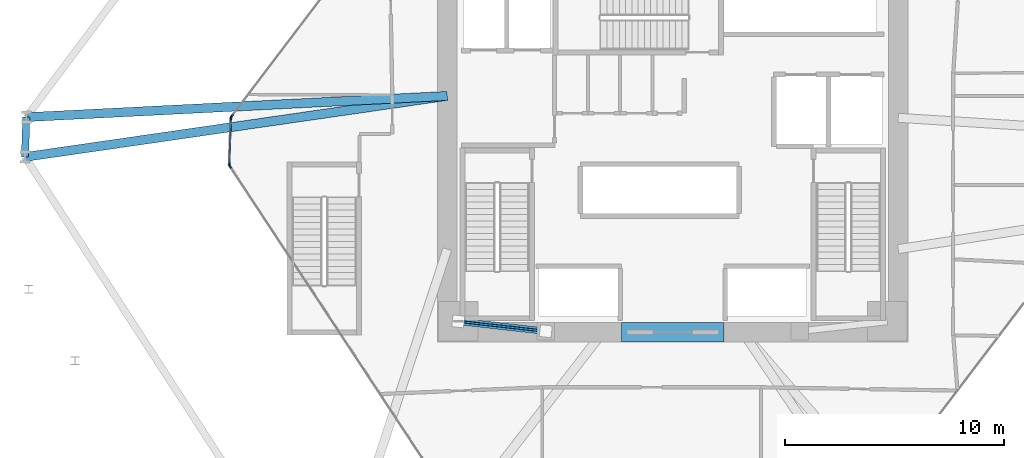
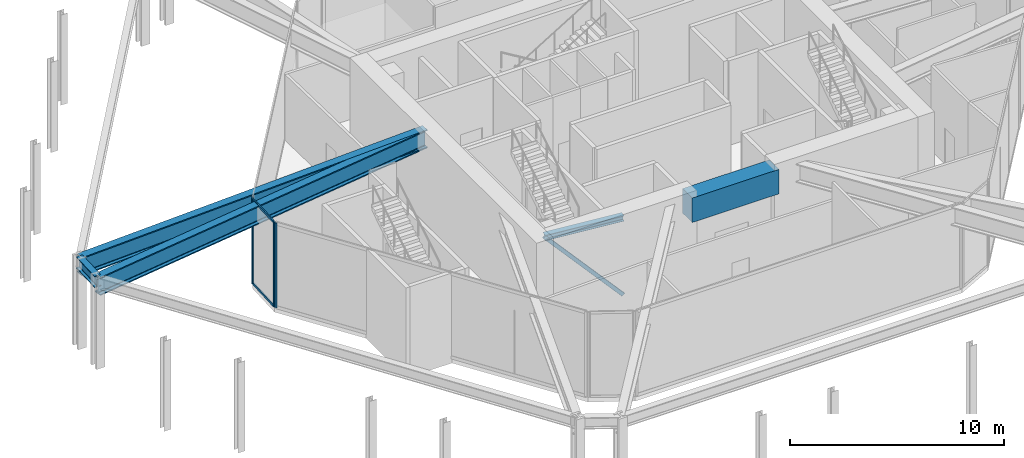
# One storey, part 7 of 16: 7 members, 5 beams, 3 elements without a shape of their own.
"""IFC4 building model written with IfcOpenShell, lengths in metres."""

from ifc_helpers import new_model, si_unit, direction, frame, origin, origin_2d, place, context, subcontext, project, spatial, rectangle, hollow_rectangle, i_section, extrude, source, transform, mapped, material, layer, layer_set, material_profile, profile_set, type_object, type_shapes, element, aggregate, save


model = new_model("IFC4")

# Units and contexts
model_context = context("Model", 3, precision=1e-05, world=origin(), true_north=direction((0.0, 1.0)))
body_context = subcontext(model_context, "Body", "Model", "MODEL_VIEW")
ifc_project = project(units=[si_unit("LENGTHUNIT", "METRE"), si_unit("AREAUNIT", "SQUARE_METRE"), si_unit("VOLUMEUNIT", "CUBIC_METRE"), si_unit("PLANEANGLEUNIT", "RADIAN"), si_unit("MASSUNIT", "GRAM", prefix="KILO")], contexts=[model_context])

# Site, building, storey
site_placement = place(None, origin())
site = spatial("IfcSite", under=ifc_project, at=site_placement, CompositionType="ELEMENT")
building_placement = place(site_placement, origin())
building = spatial("IfcBuilding", under=site, at=building_placement, Name="Durnholm Broadcast Tower", CompositionType="ELEMENT")
storey_placement = place(building_placement, frame((0.0, 0.0, 5.199951171875)))
storey = spatial("IfcBuildingStorey", under=building, at=storey_placement, Name="L01", CompositionType="ELEMENT", Elevation=5.199951171875)

# Beams
ifc_material_1 = material(Name="Concrete C70/85", Category="concrete")
ifc_material_profile_1 = material_profile(ifc_material_1, rectangle(XDim=0.89990234375, YDim=1.39990234375, at=origin_2d()), Name="RC900X1400")
ifc_profile_set_1 = profile_set([ifc_material_profile_1], Name="Concrete C70/85")
beam_type_1 = type_object("IfcBeamType", Name="BM-CB-RC1400", PredefinedType="LINTEL", material=ifc_profile_set_1)
shared_shape_1 = source(origin(), body_context, "Body", "SweptSolid", [
    extrude(rectangle(XDim=0.89990234375, YDim=1.39990234375, at=origin_2d()), origin(), (0.0, 0.0, 1.0), 4.7001953125),
])
type_shapes(beam_type_1, [shared_shape_1])
beam_1_placement = place(storey_placement, frame((-2.35009765625, -8.300048828125, 4.14501953125), z_axis=(1.0, 0.0, 0.0), x_axis=(0.0, 1.0, 0.0)))
element("IfcBeam", 1, at=beam_1_placement, inside=storey, type_object=beam_type_1, Name="L01 south core coupling lintel beam CB-S", PredefinedType="LINTEL", context=body_context, shape_type="MappedRepresentation", body=[
    mapped(shared_shape_1, transform((0.0, 0.0, 0.0), x_axis=(1.0, 0.0, 0.0), y_axis=(0.0, 1.0, 0.0), z_axis=(0.0, 0.0, 1.0), scale=1.0)),
])
ifc_material_2 = material(Name="Steel ASTM A992 Grade 50", Category="steel")
ifc_material_profile_2 = material_profile(ifc_material_2, i_section(OverallWidth=0.3330078125, OverallDepth=0.660888671875, WebThickness=0.0244140625, FlangeThickness=0.0439453125, FilletRadius=0.02783203125, at=origin_2d()), Name="W24X229")
ifc_profile_set_2 = profile_set([ifc_material_profile_2], Name="Steel ASTM A992 Grade 50")
beam_type_2 = type_object("IfcBeamType", Name="STL-SP-W24X229", PredefinedType="SPANDREL", material=ifc_profile_set_2)
shared_shape_2 = source(origin(), body_context, "Body", "SweptSolid", [
    extrude(i_section(OverallWidth=0.3330078125, OverallDepth=0.660888671875, WebThickness=0.0244140625, FlangeThickness=0.0439453125, FilletRadius=0.02783203125, at=origin_2d()), origin(), (0.0, 0.0, 1.0), 1.820068359375),
])
type_shapes(beam_type_2, [shared_shape_2])
beam_2_placement = place(storey_placement, frame((-29.590576171875, -0.28857421875, 4.504638671875), z_axis=(0.033667655889, 0.999433083776, 0.0), x_axis=(-0.999433083776, 0.033667655889, 0.0)))
element("IfcBeam", 2, at=beam_2_placement, inside=storey, type_object=beam_type_2, Name="L01 perimeter spandrel girder 02", PredefinedType="SPANDREL", context=body_context, shape_type="MappedRepresentation", body=[
    mapped(shared_shape_2, transform((0.0, 0.0, 0.0), x_axis=(1.0, 0.0, 0.0), y_axis=(0.0, 1.0, 0.0), z_axis=(0.0, 0.0, 1.0), scale=1.0)),
])
ifc_material_profile_3 = material_profile(ifc_material_2, i_section(OverallWidth=0.3046875, OverallDepth=0.307861328125, WebThickness=0.010009765625, FlangeThickness=0.015380859375, FilletRadius=0.019287109375, at=origin_2d()), Name="W12X65")
ifc_profile_set_3 = profile_set([ifc_material_profile_3], Name="Steel ASTM A992 Grade 50")
beam_type_3 = type_object("IfcBeamType", Name="STL-BL-W12X65", PredefinedType="LINTEL", material=ifc_profile_set_3)
shared_shape_3 = source(origin(), body_context, "Body", "SweptSolid", [
    extrude(i_section(OverallWidth=0.3046875, OverallDepth=0.307861328125, WebThickness=0.010009765625, FlangeThickness=0.015380859375, FilletRadius=0.019287109375, at=origin_2d()), origin(), (0.0, 0.0, 1.0), 4.025146484375),
])
type_shapes(beam_type_3, [shared_shape_3])
beam_3_placement = place(storey_placement, frame((-5.800048828125, -8.25, 4.68115234375), z_axis=(-0.993732663715, 0.111782794142, 0.0), x_axis=(-0.111782794142, -0.993732663715, 0.0)))
element("IfcBeam", 3, at=beam_3_placement, inside=storey, type_object=beam_type_3, Name="L01 west pilaster tie lintel", PredefinedType="LINTEL", context=body_context, shape_type="MappedRepresentation", body=[
    mapped(shared_shape_3, transform((0.0, 0.0, 0.0), x_axis=(1.0, 0.0, 0.0), y_axis=(0.0, 1.0, 0.0), z_axis=(0.0, 0.0, 1.0), scale=1.0)),
])
ifc_material_profile_4 = material_profile(ifc_material_2, i_section(OverallWidth=0.412109375, OverallDepth=1.048095703125, WebThickness=0.033935546875, FlangeThickness=0.059814453125, FilletRadius=0.04052734375, at=origin_2d()), Name="W40X431")
ifc_profile_set_4 = profile_set([ifc_material_profile_4], Name="Steel ASTM A992 Grade 50")
beam_type_4 = type_object("IfcBeamType", Name="STL-TG-W40X431", PredefinedType="USERDEFINED", material=ifc_profile_set_4)
shared_shape_4 = source(origin(), body_context, "Body", "SweptSolid", [
    extrude(i_section(OverallWidth=0.412109375, OverallDepth=1.048095703125, WebThickness=0.033935546875, FlangeThickness=0.059814453125, FilletRadius=0.04052734375, at=origin_2d()), origin(), (0.0, 0.0, 1.0), 19.490966796875),
])
beam_4_placement = place(storey_placement, frame((-10.300048828125, 2.5, 4.31103515625), z_axis=(-0.989712636446, -0.143069553921, 0.0), x_axis=(0.143069553921, -0.989712636446, 0.0)))
element("IfcBeam", 4, at=beam_4_placement, inside=storey, type_object=beam_type_4, Name="L01 radial primary floor girder 02", ObjectType="GIRDER", PredefinedType="USERDEFINED", context=body_context, shape_type="MappedRepresentation", body=[
    mapped(shared_shape_4, transform((0.0, 0.0, 0.0), x_axis=(1.0, 0.0, 0.0), y_axis=(0.0, 1.0, 0.0), z_axis=(0.0, 0.0, 1.0), scale=1.0)),
])
shared_shape_5 = source(origin(), body_context, "Body", "SweptSolid", [
    extrude(i_section(OverallWidth=0.412109375, OverallDepth=1.048095703125, WebThickness=0.033935546875, FlangeThickness=0.059814453125, FilletRadius=0.04052734375, at=origin_2d()), origin(), (0.0, 0.0, 1.0), 19.253662109375),
])
type_shapes(beam_type_4, [shared_shape_4, shared_shape_5])
beam_5_placement = place(storey_placement, frame((-10.300048828125, 2.5, 4.31103515625), z_axis=(-0.998731477139, -0.050353118796, 0.0), x_axis=(0.050353118796, -0.998731477139, 0.0)))
element("IfcBeam", 5, at=beam_5_placement, inside=storey, type_object=beam_type_4, Name="L01 radial primary floor girder 03", ObjectType="GIRDER", PredefinedType="USERDEFINED", context=body_context, shape_type="MappedRepresentation", body=[
    mapped(shared_shape_5, transform((0.0, 0.0, 0.0), x_axis=(1.0, 0.0, 0.0), y_axis=(0.0, 1.0, 0.0), z_axis=(0.0, 0.0, 1.0), scale=1.0)),
])

# Member
ifc_material_3 = material(Name="Steel ASTM A500 Grade C", Category="steel")
ifc_material_profile_5 = material_profile(ifc_material_3, hollow_rectangle(XDim=0.1015625, YDim=0.203125, WallThickness=0.00732421875, InnerFilletRadius=0.010986328125, OuterFilletRadius=0.0185546875, at=origin_2d()), Name="HSS8X4X5/16")
ifc_profile_set_5 = profile_set([ifc_material_profile_5], Name="Steel ASTM A500 Grade C")
member_type_1 = type_object("IfcMemberType", Name="STL-STG-HSS8X4", PredefinedType="STRINGER", material=ifc_profile_set_5)
shared_shape_6 = source(origin(), body_context, "Body", "SweptSolid", [
    extrude(hollow_rectangle(XDim=0.1015625, YDim=0.203125, WallThickness=0.00732421875, InnerFilletRadius=0.010986328125, OuterFilletRadius=0.0185546875, at=origin_2d()), origin(), (0.0, 0.0, 1.0), 5.986328125),
])
type_shapes(member_type_1, [shared_shape_6])
member_1_placement = place(storey_placement, frame((-5.800048828125, -8.25, 0.25), z_axis=(-0.668175783334, 0.075161619182, 0.740197172089), x_axis=(-0.111782794142, -0.993732663715, 0.0)))
element("IfcMember", 6, at=member_1_placement, inside=storey, type_object=member_type_1, Name="L01 core gallery steel stringer brace", PredefinedType="STRINGER", context=body_context, shape_type="MappedRepresentation", body=[
    mapped(shared_shape_6, transform((0.0, 0.0, 0.0), x_axis=(1.0, 0.0, 0.0), y_axis=(0.0, 1.0, 0.0), z_axis=(0.0, 0.0, 1.0), scale=1.0)),
])

# Curtain wall, members
ifc_material_4 = material(Name="Aluminium and Solar Control IGU", Category="aluminium")
ifc_layer_1 = layer(ifc_material_4, 0.1650390625)
ifc_layer_set_1 = layer_set([ifc_layer_1], Name="Aluminium and Solar Control IGU")
curtain_wall_type_1 = type_object("IfcCurtainWallType", Name="CW-SYS-5", PredefinedType="NOTDEFINED", material=ifc_layer_set_1)
curtain_wall_1_placement = place(storey_placement, origin())
curtain_wall_1 = element("IfcCurtainWall", 7, at=curtain_wall_1_placement, inside=storey, type_object=curtain_wall_type_1, Name="L01 curtain wall CW-CORNER CW-L01-CRN-01", PredefinedType="NOTDEFINED")
ifc_material_5 = material(Name="Aluminium 6063-T6", Category="aluminium")
ifc_material_profile_6 = material_profile(ifc_material_5, rectangle(XDim=0.06494140625, YDim=0.1298828125, at=origin_2d()), Name="CWT65X130")
ifc_profile_set_6 = profile_set([ifc_material_profile_6], Name="Aluminium 6063-T6")
member_type_2 = type_object("IfcMemberType", Name="CW-SYS-5-TRN", PredefinedType="USERDEFINED", material=ifc_profile_set_6)
shared_shape_7 = source(origin(), body_context, "Body", "SweptSolid", [
    extrude(rectangle(XDim=0.06494140625, YDim=0.1298828125, at=origin_2d()), origin(), (0.0, 0.0, 1.0), 2.070068359375),
])
type_shapes(member_type_2, [shared_shape_7])
member_2_placement = place(storey_placement, frame((-20.254638671875, -0.60791015625, 0.032470703125), z_axis=(0.033377662898, 0.99944281058, 0.0), x_axis=(-0.99944281058, 0.033377662898, 0.0)))
member_2 = element("IfcMember", 8, at=member_2_placement, type_object=member_type_2, Name="CW-CORNER transom 1.1", ObjectType="TRANSOM", PredefinedType="USERDEFINED", context=body_context, shape_type="MappedRepresentation", body=[
    mapped(shared_shape_7, transform((0.0, 0.0, 0.0), x_axis=(1.0, 0.0, 0.0), y_axis=(0.0, 1.0, 0.0), z_axis=(0.0, 0.0, 1.0), scale=1.0)),
])
member_3_placement = place(storey_placement, frame((-20.254638671875, -0.60791015625, 4.817626953125), z_axis=(0.033377662898, 0.99944281058, 0.0), x_axis=(-0.99944281058, 0.033377662898, 0.0)))
member_3 = element("IfcMember", 9, at=member_3_placement, type_object=member_type_2, Name="CW-CORNER transom 1.2", ObjectType="TRANSOM", PredefinedType="USERDEFINED", context=body_context, shape_type="MappedRepresentation", body=[
    mapped(shared_shape_7, transform((0.0, 0.0, 0.0), x_axis=(1.0, 0.0, 0.0), y_axis=(0.0, 1.0, 0.0), z_axis=(0.0, 0.0, 1.0), scale=1.0)),
])
ifc_material_profile_7 = material_profile(ifc_material_5, rectangle(XDim=0.06494140625, YDim=0.1650390625, at=origin_2d()), Name="CWM65X165")
ifc_profile_set_7 = profile_set([ifc_material_profile_7], Name="Aluminium 6063-T6")
member_type_3 = type_object("IfcMemberType", Name="CW-SYS-5-MUL", PredefinedType="MULLION", material=ifc_profile_set_7)
shared_shape_8 = source(origin(), body_context, "Body", "SweptSolid", [
    extrude(rectangle(XDim=0.06494140625, YDim=0.1650390625, at=origin_2d()), origin(), (0.0, 0.0, 1.0), 4.85009765625),
])
type_shapes(member_type_3, [shared_shape_8])
member_4_placement = place(storey_placement, frame((-20.255859375, -0.640380859375, 0.0), z_axis=(0.0, 0.0, 1.0), x_axis=(-0.99944172404, 0.033410181794, 0.0)))
member_4 = element("IfcMember", 10, at=member_4_placement, type_object=member_type_3, Name="CW-CORNER mullion 1", PredefinedType="MULLION", context=body_context, shape_type="MappedRepresentation", body=[
    mapped(shared_shape_8, transform((0.0, 0.0, 0.0), x_axis=(1.0, 0.0, 0.0), y_axis=(0.0, 1.0, 0.0), z_axis=(0.0, 0.0, 1.0), scale=1.0)),
])
member_5_placement = place(storey_placement, frame((-20.1845703125, 1.493408203125, 0.0), z_axis=(0.0, 0.0, 1.0), x_axis=(-0.99944172404, 0.033410181794, 0.0)))
member_5 = element("IfcMember", 11, at=member_5_placement, type_object=member_type_3, Name="CW-CORNER mullion 2", PredefinedType="MULLION", context=body_context, shape_type="MappedRepresentation", body=[
    mapped(shared_shape_8, transform((0.0, 0.0, 0.0), x_axis=(1.0, 0.0, 0.0), y_axis=(0.0, 1.0, 0.0), z_axis=(0.0, 0.0, 1.0), scale=1.0)),
])
aggregate(curtain_wall_1, [member_4, member_5, member_2, member_3])

# Curtain wall, member
ifc_layer_2 = layer(ifc_material_4, 0.219970703125)
ifc_layer_set_2 = layer_set([ifc_layer_2], Name="Aluminium and Solar Control IGU")
curtain_wall_type_2 = type_object("IfcCurtainWallType", Name="CW-SYS-1", PredefinedType="NOTDEFINED", material=ifc_layer_set_2)
curtain_wall_2_placement = place(storey_placement, origin())
curtain_wall_2 = element("IfcCurtainWall", 12, at=curtain_wall_2_placement, inside=storey, type_object=curtain_wall_type_2, Name="L01 curtain wall CW-LOBBY CW-L01-F02", PredefinedType="NOTDEFINED")
ifc_material_profile_8 = material_profile(ifc_material_5, rectangle(XDim=0.074951171875, YDim=0.219970703125, at=origin_2d()), Name="CWM75X220")
ifc_profile_set_8 = profile_set([ifc_material_profile_8], Name="Aluminium 6063-T6")
member_type_4 = type_object("IfcMemberType", Name="CW-SYS-1-MUL", PredefinedType="MULLION", material=ifc_profile_set_8)
shared_shape_9 = source(origin(), body_context, "Body", "SweptSolid", [
    extrude(rectangle(XDim=0.074951171875, YDim=0.219970703125, at=origin_2d()), origin(), (0.0, 0.0, 1.0), 4.85009765625),
])
type_shapes(member_type_4, [shared_shape_9])
member_6_placement = place(storey_placement, frame((-20.16064453125, 1.5556640625, 0.0), z_axis=(0.0, 0.0, 1.0), x_axis=(-0.795838649187, 0.605508748459, 0.0)))
member_6 = element("IfcMember", 13, at=member_6_placement, type_object=member_type_4, Name="CW-LOBBY mullion 1", PredefinedType="MULLION", context=body_context, shape_type="MappedRepresentation", body=[
    mapped(shared_shape_9, transform((0.0, 0.0, 0.0), x_axis=(1.0, 0.0, 0.0), y_axis=(0.0, 1.0, 0.0), z_axis=(0.0, 0.0, 1.0), scale=1.0)),
])
aggregate(curtain_wall_2, [member_6])

curtain_wall_3_placement = place(storey_placement, origin())
curtain_wall_3 = element("IfcCurtainWall", 14, at=curtain_wall_3_placement, inside=storey, type_object=curtain_wall_type_2, Name="L01 curtain wall CW-LOBBY CW-L01-F12", PredefinedType="NOTDEFINED")
member_7_placement = place(storey_placement, frame((-20.236328125, -0.7041015625, 0.0), z_axis=(0.0, 0.0, 1.0), x_axis=(-0.834496352934, -0.551013463483, 0.0)))
member_7 = element("IfcMember", 15, at=member_7_placement, type_object=member_type_4, Name="CW-LOBBY mullion 2", PredefinedType="MULLION", context=body_context, shape_type="MappedRepresentation", body=[
    mapped(shared_shape_9, transform((0.0, 0.0, 0.0), x_axis=(1.0, 0.0, 0.0), y_axis=(0.0, 1.0, 0.0), z_axis=(0.0, 0.0, 1.0), scale=1.0)),
])
aggregate(curtain_wall_3, [member_7])

save(model, "model.ifc")
